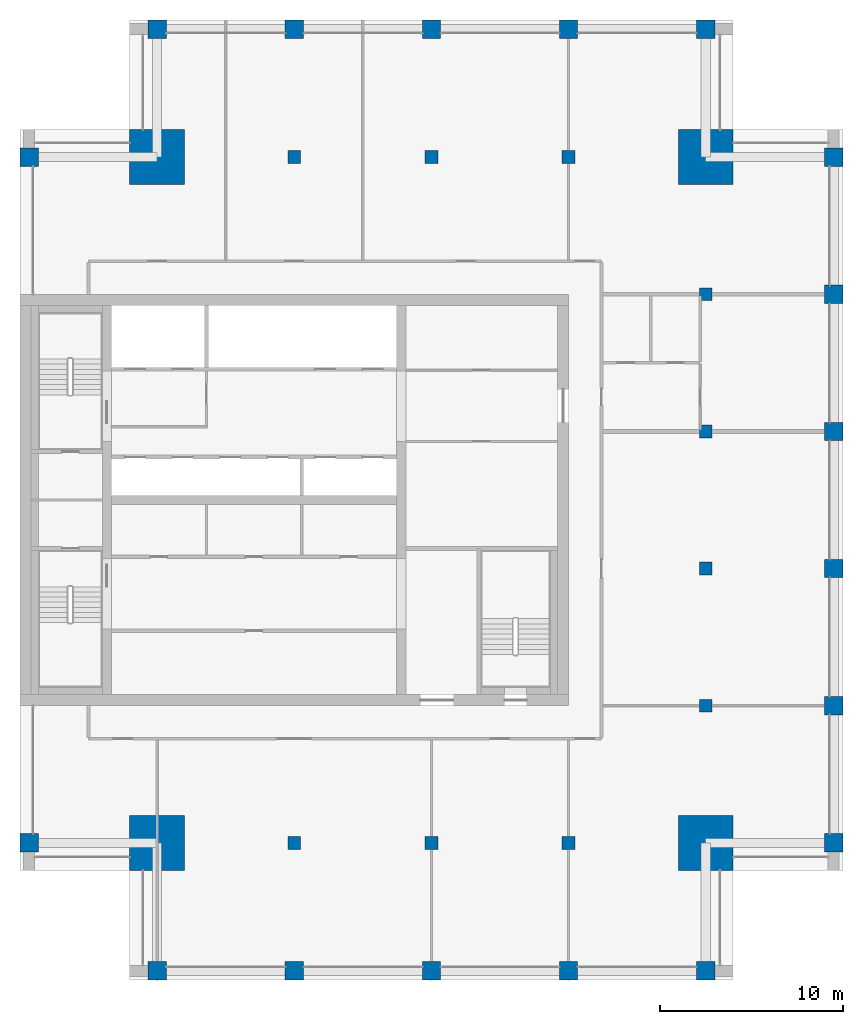
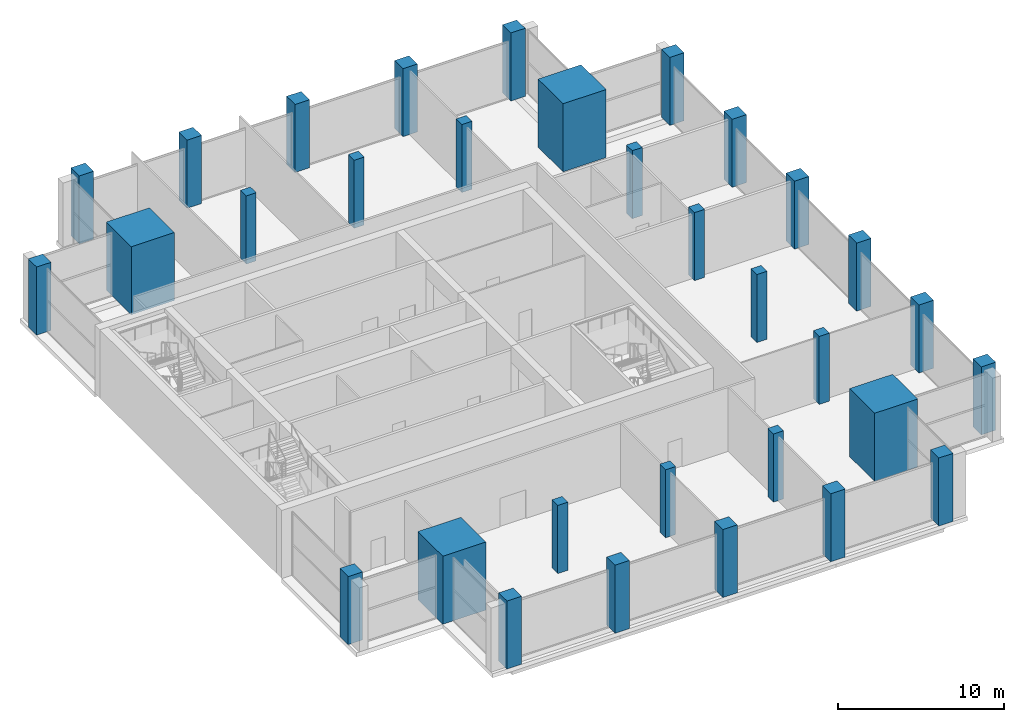
# One storey, part 1 of 15: 32 columns.
"""IFC4 building model written with IfcOpenShell, lengths in metres."""

from ifc_helpers import new_model, si_unit, direction, frame, origin, origin_2d, place, context, subcontext, project, spatial, rectangle, extrude, material, material_profile, profile_set, type_object, element, save


model = new_model("IFC4")

# Units and contexts
model_context = context("Model", 3, precision=1e-05, world=origin(), true_north=direction((0.0, 1.0)))
body_context = subcontext(model_context, "Body", "Model", "MODEL_VIEW")
ifc_project = project(units=[si_unit("LENGTHUNIT", "METRE"), si_unit("AREAUNIT", "SQUARE_METRE"), si_unit("VOLUMEUNIT", "CUBIC_METRE"), si_unit("PLANEANGLEUNIT", "RADIAN"), si_unit("MASSUNIT", "GRAM", prefix="KILO")], contexts=[model_context])

# Site, building, storey
site_placement = place(None, origin())
site = spatial("IfcSite", under=ifc_project, at=site_placement, CompositionType="ELEMENT")
building_placement = place(site_placement, origin())
building = spatial("IfcBuilding", under=site, at=building_placement, Name="Tamorin Gate", CompositionType="ELEMENT")
storey_placement = place(building_placement, frame((0.0, 0.0, 287.199951171875)))
storey = spatial("IfcBuildingStorey", under=building, at=storey_placement, Name="L72", CompositionType="ELEMENT", Elevation=287.199951171875)

# Columns
ifc_material = material(Name="Concrete C50/60", Category="concrete")
ifc_material_profile_1 = material_profile(ifc_material, rectangle(XDim=1.0, YDim=1.0, at=origin_2d()), Name="RC 1000x1000")
ifc_profile_set_1 = profile_set([ifc_material_profile_1], Name="Concrete C50/60")
column_type_1 = type_object("IfcColumnType", Name="RC column 1000x1000 C50/60", PredefinedType="COLUMN", material=ifc_profile_set_1)
for number, where, z_axis, x_axis, name in (
    (1, (30.5, 52.5, 0.0), (0.0, 0.0, 1.0), (1.0, 0.0, 0.0), "Ring column L72"),
    (2, (30.5, 90.0, 0.0), (0.0, 0.0, 1.0), (1.0, 0.0, 0.0), "Ring column L72"),
    (3, (37.5, 45.5, 0.0), (0.0, 0.0, 1.0), (1.0, 0.0, 0.0), "Ring column L72"),
    (4, (37.5, 97.0, 0.0), (0.0, 0.0, 1.0), (1.0, 0.0, 0.0), "Ring column L72"),
    (5, (45.0, 45.5, 0.0), (0.0, 0.0, 1.0), (1.0, 0.0, 0.0), "Ring column L72"),
    (6, (45.0, 97.0, 0.0), (0.0, 0.0, 1.0), (1.0, 0.0, 0.0), "Ring column L72"),
    (7, (52.5, 45.5, 0.0), (0.0, 0.0, 1.0), (1.0, 0.0, 0.0), "Ring column L72"),
    (8, (52.5, 97.0, 0.0), (0.0, 0.0, 1.0), (1.0, 0.0, 0.0), "Ring column L72"),
    (9, (60.0, 45.5, 0.0), (0.0, 0.0, 1.0), (1.0, 0.0, 0.0), "Ring column L72"),
    (10, (60.0, 97.0, 0.0), (0.0, 0.0, 1.0), (1.0, 0.0, 0.0), "Ring column L72"),
    (11, (67.5, 45.5, 0.0), (0.0, 0.0, 1.0), (1.0, 0.0, 0.0), "Ring column L72"),
    (12, (67.5, 97.0, 0.0), (0.0, 0.0, 1.0), (1.0, 0.0, 0.0), "Ring column L72"),
    (13, (74.5, 52.5, 0.0), (0.0, 0.0, 1.0), (1.0, 0.0, 0.0), "Ring column L72"),
    (14, (74.5, 60.0, 0.0), (0.0, 0.0, 1.0), (1.0, 0.0, 0.0), "Ring column L72"),
    (15, (74.5, 67.5, 0.0), (0.0, 0.0, 1.0), (1.0, 0.0, 0.0), "Ring column L72"),
    (16, (74.5, 75.0, 0.0), (0.0, 0.0, 1.0), (1.0, 0.0, 0.0), "Ring column L72"),
    (17, (74.5, 82.5, 0.0), (0.0, 0.0, 1.0), (1.0, 0.0, 0.0), "Ring column L72"),
    (18, (74.5, 90.0, 0.0), (0.0, 0.0, 1.0), (1.0, 0.0, 0.0), "Ring column L72"),
):
    element("IfcColumn", number, at=place(storey_placement, frame(where, z_axis=z_axis, x_axis=x_axis)), inside=storey, type_object=column_type_1, Name=name, PredefinedType="COLUMN", context=body_context, shape_type="SweptSolid", body=[
        extrude(rectangle(XDim=1.0, YDim=1.0, at=origin_2d()), origin(), (0.0, 0.0, 1.0), 5.0),
    ])
ifc_material_profile_2 = material_profile(ifc_material, rectangle(XDim=3.0, YDim=3.0, at=origin_2d()), Name="RC 3000x3000")
ifc_profile_set_2 = profile_set([ifc_material_profile_2], Name="Concrete C50/60")
column_type_2 = type_object("IfcColumnType", Name="RC column 3000x3000 C50/60", PredefinedType="COLUMN", material=ifc_profile_set_2)
for number, where, z_axis, x_axis, name in (
    (19, (37.5, 52.5, 0.0), (0.0, 0.0, 1.0), (1.0, 0.0, 0.0), "Mega column SW L72"),
    (20, (67.5, 52.5, 0.0), (0.0, 0.0, 1.0), (1.0, 0.0, 0.0), "Mega column SE L72"),
    (21, (37.5, 90.0, 0.0), (0.0, 0.0, 1.0), (1.0, 0.0, 0.0), "Mega column NW L72"),
    (22, (67.5, 90.0, 0.0), (0.0, 0.0, 1.0), (1.0, 0.0, 0.0), "Mega column NE L72"),
):
    element("IfcColumn", number, at=place(storey_placement, frame(where, z_axis=z_axis, x_axis=x_axis)), inside=storey, type_object=column_type_2, Name=name, PredefinedType="COLUMN", context=body_context, shape_type="SweptSolid", body=[
        extrude(rectangle(XDim=3.0, YDim=3.0, at=origin_2d()), origin(), (0.0, 0.0, 1.0), 5.0),
    ])
ifc_material_profile_3 = material_profile(ifc_material, rectangle(XDim=0.699951171875, YDim=0.699951171875, at=origin_2d()), Name="RC 700x700")
ifc_profile_set_3 = profile_set([ifc_material_profile_3], Name="Concrete C50/60")
column_type_3 = type_object("IfcColumnType", Name="RC column 700x700 C50/60", PredefinedType="COLUMN", material=ifc_profile_set_3)
for number, where, z_axis, x_axis, name in (
    (23, (45.0, 52.5, 0.0), (0.0, 0.0, 1.0), (1.0, 0.0, 0.0), "Interior column L72"),
    (24, (45.0, 90.0, 0.0), (0.0, 0.0, 1.0), (1.0, 0.0, 0.0), "Interior column L72"),
    (25, (52.5, 52.5, 0.0), (0.0, 0.0, 1.0), (1.0, 0.0, 0.0), "Interior column L72"),
    (26, (52.5, 90.0, 0.0), (0.0, 0.0, 1.0), (1.0, 0.0, 0.0), "Interior column L72"),
    (27, (60.0, 52.5, 0.0), (0.0, 0.0, 1.0), (1.0, 0.0, 0.0), "Interior column L72"),
    (28, (60.0, 90.0, 0.0), (0.0, 0.0, 1.0), (1.0, 0.0, 0.0), "Interior column L72"),
    (29, (67.5, 60.0, 0.0), (0.0, 0.0, 1.0), (1.0, 0.0, 0.0), "Interior column L72"),
    (30, (67.5, 67.5, 0.0), (0.0, 0.0, 1.0), (1.0, 0.0, 0.0), "Interior column L72"),
    (31, (67.5, 75.0, 0.0), (0.0, 0.0, 1.0), (1.0, 0.0, 0.0), "Interior column L72"),
    (32, (67.5, 82.5, 0.0), (0.0, 0.0, 1.0), (1.0, 0.0, 0.0), "Interior column L72"),
):
    element("IfcColumn", number, at=place(storey_placement, frame(where, z_axis=z_axis, x_axis=x_axis)), inside=storey, type_object=column_type_3, Name=name, PredefinedType="COLUMN", context=body_context, shape_type="SweptSolid", body=[
        extrude(rectangle(XDim=0.699951171875, YDim=0.699951171875, at=origin_2d()), origin(), (0.0, 0.0, 1.0), 5.0),
    ])

save(model, "model.ifc")
